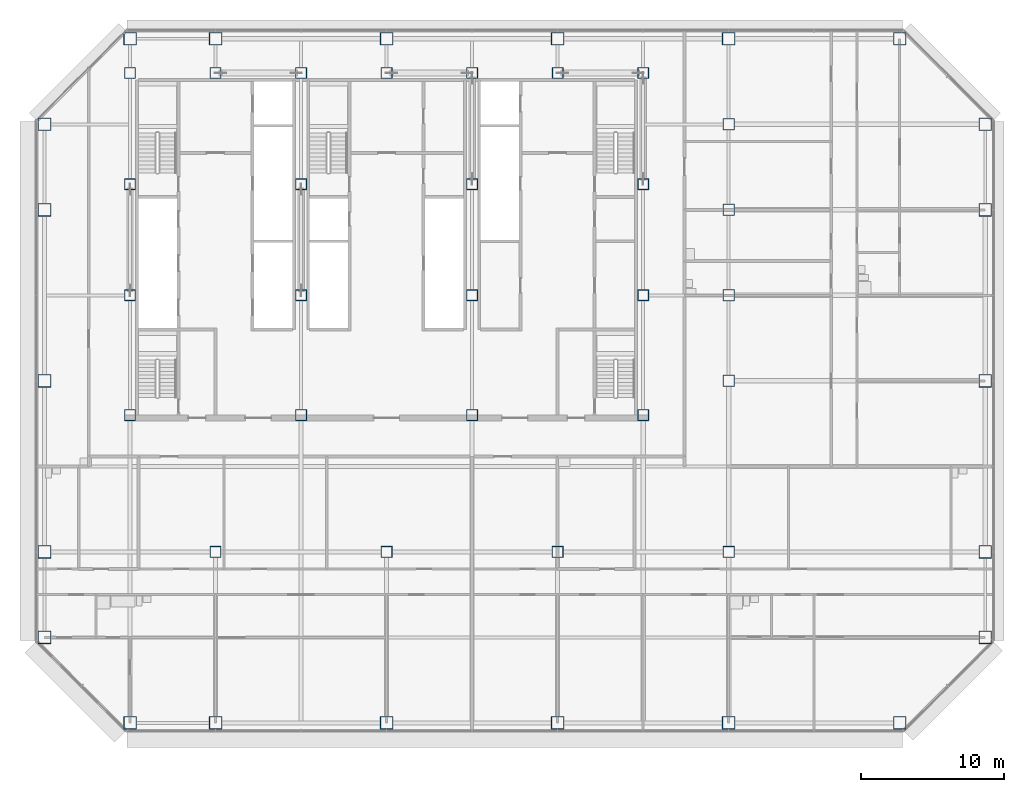
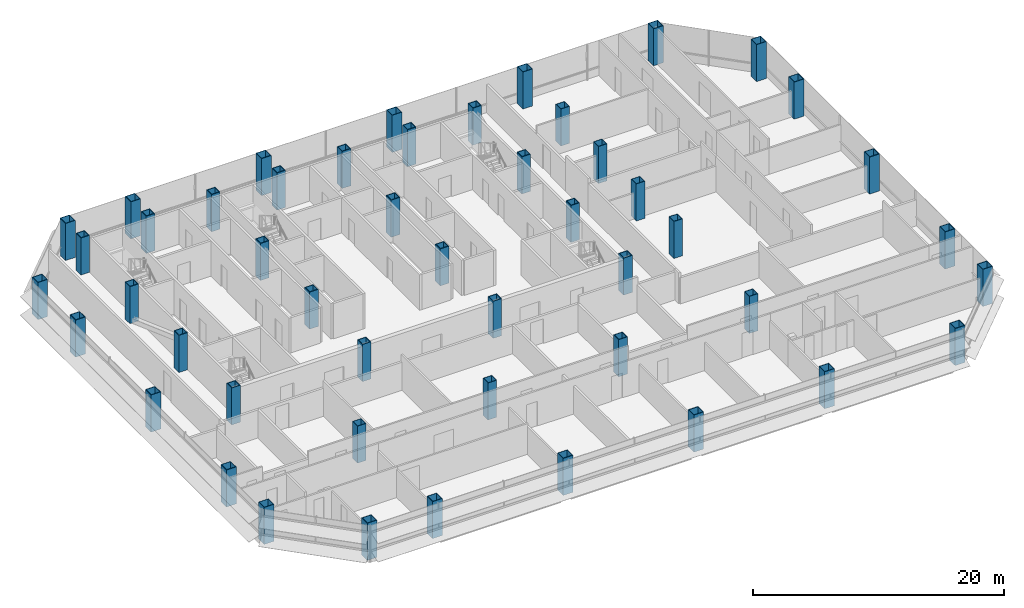
# One storey, part 1 of 27: 49 columns.
"""IFC4 building model written with IfcOpenShell, lengths in metres."""

from ifc_helpers import new_model, si_unit, direction, frame, origin, origin_2d, place, context, subcontext, project, spatial, hollow_rectangle, extrude, material, material_profile, profile_set, type_object, element, save


model = new_model("IFC4")

# Units and contexts
model_context = context("Model", 3, precision=1e-05, world=origin(), true_north=direction((0.0, 1.0)))
body_context = subcontext(model_context, "Body", "Model", "MODEL_VIEW")
ifc_project = project(units=[si_unit("LENGTHUNIT", "METRE"), si_unit("AREAUNIT", "SQUARE_METRE"), si_unit("VOLUMEUNIT", "CUBIC_METRE"), si_unit("PLANEANGLEUNIT", "RADIAN"), si_unit("MASSUNIT", "GRAM", prefix="KILO")], contexts=[model_context])

# Site, building, storey
site_placement = place(None, origin())
site = spatial("IfcSite", under=ifc_project, at=site_placement, CompositionType="ELEMENT")
building_placement = place(site_placement, origin())
building = spatial("IfcBuilding", under=site, at=building_placement, Name="Sorahane Residences", CompositionType="ELEMENT")
storey_placement = place(building_placement, frame((0.0, 0.0, 75.0)))
storey = spatial("IfcBuildingStorey", under=building, at=storey_placement, Name="L15", CompositionType="ELEMENT", Elevation=75.0)

# Columns
ifc_material_1 = material(Name="Steel Q355B", Category="steel")
ifc_material_profile_1 = material_profile(ifc_material_1, hollow_rectangle(XDim=0.800048828125, YDim=0.800048828125, WallThickness=0.0400390625, at=origin_2d()), Name="BOX 800x800x40")
ifc_profile_set_1 = profile_set([ifc_material_profile_1], Name="Steel Q355B")
column_type_1 = type_object("IfcColumnType", Name="Steel box column BOX 800x800x40 Q355B", PredefinedType="COLUMN", material=ifc_profile_set_1)
for number, where, z_axis, x_axis, name in (
    (1, (12.0, 12.0, 0.0), (0.0, 0.0, 1.0), (1.0, 0.0, 0.0), "Column L15 12/12"),
    (2, (24.0, 12.0, 0.0), (0.0, 0.0, 1.0), (1.0, 0.0, 0.0), "Column L15 24/12"),
    (3, (36.0, 12.0, 0.0), (0.0, 0.0, 1.0), (1.0, 0.0, 0.0), "Column L15 36/12"),
    (4, (48.0, 12.0, 0.0), (0.0, 0.0, 1.0), (1.0, 0.0, 0.0), "Column L15 48/12"),
    (5, (48.0, 24.0, 0.0), (0.0, 0.0, 1.0), (1.0, 0.0, 0.0), "Column L15 48/24"),
    (6, (48.0, 30.0, 0.0), (0.0, 0.0, 1.0), (1.0, 0.0, 0.0), "Column L15 48/30"),
    (7, (48.0, 36.0, 0.0), (0.0, 0.0, 1.0), (1.0, 0.0, 0.0), "Column L15 48/36"),
    (8, (48.0, 42.0, 0.0), (0.0, 0.0, 1.0), (1.0, 0.0, 0.0), "Column L15 48/42"),
):
    element("IfcColumn", number, at=place(storey_placement, frame(where, z_axis=z_axis, x_axis=x_axis)), inside=storey, type_object=column_type_1, Name=name, PredefinedType="COLUMN", context=body_context, shape_type="SweptSolid", body=[
        extrude(hollow_rectangle(XDim=0.800048828125, YDim=0.800048828125, WallThickness=0.0400390625, at=origin_2d()), origin(), (0.0, 0.0, 1.0), 3.60009765625),
    ])
ifc_material_2 = material(Name="Steel Q420GJ", Category="steel")
ifc_material_profile_2 = material_profile(ifc_material_2, hollow_rectangle(XDim=0.800048828125, YDim=0.800048828125, WallThickness=0.06005859375, at=origin_2d()), Name="BOX 800x800x60")
ifc_profile_set_2 = profile_set([ifc_material_profile_2], Name="Steel Q420GJ")
column_type_2 = type_object("IfcColumnType", Name="Steel box column BOX 800x800x60 Q420GJ", PredefinedType="COLUMN", material=ifc_profile_set_2)
for number, where, z_axis, x_axis, name in (
    (9, (6.0, 21.60009765625, 0.0), (0.0, 0.0, 1.0), (1.0, 0.0, 0.0), "Column L15 6/21.6"),
    (10, (6.0, 30.0, 0.0), (0.0, 0.0, 1.0), (1.0, 0.0, 0.0), "Column L15 6/30"),
    (11, (6.0, 37.800048828125, 0.0), (0.0, 0.0, 1.0), (1.0, 0.0, 0.0), "Column L15 6/37.8"),
    (12, (6.0, 45.60009765625, 0.0), (0.0, 0.0, 1.0), (1.0, 0.0, 0.0), "Column L15 6/45.6"),
    (13, (12.0, 45.60009765625, 0.0), (0.0, 0.0, 1.0), (1.0, 0.0, 0.0), "Column L15 12/45.6"),
    (14, (18.0, 21.60009765625, 0.0), (0.0, 0.0, 1.0), (1.0, 0.0, 0.0), "Column L15 18/21.6"),
    (15, (18.0, 30.0, 0.0), (0.0, 0.0, 1.0), (1.0, 0.0, 0.0), "Column L15 18/30"),
    (16, (18.0, 37.800048828125, 0.0), (0.0, 0.0, 1.0), (1.0, 0.0, 0.0), "Column L15 18/37.8"),
    (17, (18.0, 45.60009765625, 0.0), (0.0, 0.0, 1.0), (1.0, 0.0, 0.0), "Column L15 18/45.6"),
    (18, (24.0, 45.60009765625, 0.0), (0.0, 0.0, 1.0), (1.0, 0.0, 0.0), "Column L15 24/45.6"),
    (19, (30.0, 21.60009765625, 0.0), (0.0, 0.0, 1.0), (1.0, 0.0, 0.0), "Column L15 30/21.6"),
    (20, (30.0, 30.0, 0.0), (0.0, 0.0, 1.0), (1.0, 0.0, 0.0), "Column L15 30/30"),
    (21, (30.0, 37.800048828125, 0.0), (0.0, 0.0, 1.0), (1.0, 0.0, 0.0), "Column L15 30/37.8"),
    (22, (30.0, 45.60009765625, 0.0), (0.0, 0.0, 1.0), (1.0, 0.0, 0.0), "Column L15 30/45.6"),
    (23, (36.0, 45.60009765625, 0.0), (0.0, 0.0, 1.0), (1.0, 0.0, 0.0), "Column L15 36/45.6"),
    (24, (42.0, 21.60009765625, 0.0), (0.0, 0.0, 1.0), (1.0, 0.0, 0.0), "Column L15 42/21.6"),
    (25, (42.0, 30.0, 0.0), (0.0, 0.0, 1.0), (1.0, 0.0, 0.0), "Column L15 42/30"),
    (26, (42.0, 37.800048828125, 0.0), (0.0, 0.0, 1.0), (1.0, 0.0, 0.0), "Column L15 42/37.8"),
    (27, (42.0, 45.60009765625, 0.0), (0.0, 0.0, 1.0), (1.0, 0.0, 0.0), "Column L15 42/45.6"),
):
    element("IfcColumn", number, at=place(storey_placement, frame(where, z_axis=z_axis, x_axis=x_axis)), inside=storey, type_object=column_type_2, Name=name, PredefinedType="COLUMN", context=body_context, shape_type="SweptSolid", body=[
        extrude(hollow_rectangle(XDim=0.800048828125, YDim=0.800048828125, WallThickness=0.06005859375, at=origin_2d()), origin(), (0.0, 0.0, 1.0), 3.60009765625),
    ])
ifc_material_3 = material(Name="Steel Q420GJ", Category="steel")
ifc_material_profile_3 = material_profile(ifc_material_3, hollow_rectangle(XDim=0.89990234375, YDim=0.89990234375, WallThickness=0.044921875, at=origin_2d()), Name="BOX 900x900x45")
ifc_profile_set_3 = profile_set([ifc_material_profile_3], Name="Steel Q420GJ")
column_type_3 = type_object("IfcColumnType", Name="Steel box column BOX 900x900x45 Q420GJ", PredefinedType="COLUMN", material=ifc_profile_set_3)
for number, where, z_axis, x_axis, name in (
    (28, (0.0, 6.0, 0.0), (0.0, 0.0, 1.0), (1.0, 0.0, 0.0), "Column L15 m0/6"),
    (29, (0.0, 12.0, 0.0), (0.0, 0.0, 1.0), (1.0, 0.0, 0.0), "Column L15 m0/12"),
    (30, (0.0, 24.0, 0.0), (0.0, 0.0, 1.0), (1.0, 0.0, 0.0), "Column L15 m0/24"),
    (31, (0.0, 36.0, 0.0), (0.0, 0.0, 1.0), (1.0, 0.0, 0.0), "Column L15 m0/36"),
    (32, (0.0, 42.0, 0.0), (0.0, 0.0, 1.0), (1.0, 0.0, 0.0), "Column L15 m0/42"),
    (33, (6.0, 0.0, 0.0), (0.0, 0.0, 1.0), (1.0, 0.0, 0.0), "Column L15 6/0"),
    (34, (6.0, 48.0, 0.0), (0.0, 0.0, 1.0), (1.0, 0.0, 0.0), "Column L15 6/48"),
    (35, (12.0, 0.0, 0.0), (0.0, 0.0, 1.0), (1.0, 0.0, 0.0), "Column L15 12/0"),
    (36, (12.0, 48.0, 0.0), (0.0, 0.0, 1.0), (1.0, 0.0, 0.0), "Column L15 12/48"),
    (37, (24.0, 0.0, 0.0), (0.0, 0.0, 1.0), (1.0, 0.0, 0.0), "Column L15 24/0"),
    (38, (24.0, 48.0, 0.0), (0.0, 0.0, 1.0), (1.0, 0.0, 0.0), "Column L15 24/48"),
    (39, (36.0, 0.0, 0.0), (0.0, 0.0, 1.0), (1.0, 0.0, 0.0), "Column L15 36/0"),
    (40, (36.0, 48.0, 0.0), (0.0, 0.0, 1.0), (1.0, 0.0, 0.0), "Column L15 36/48"),
    (41, (48.0, 0.0, 0.0), (0.0, 0.0, 1.0), (1.0, 0.0, 0.0), "Column L15 48/0"),
    (42, (48.0, 48.0, 0.0), (0.0, 0.0, 1.0), (1.0, 0.0, 0.0), "Column L15 48/48"),
    (43, (60.0, 0.0, 0.0), (0.0, 0.0, 1.0), (1.0, 0.0, 0.0), "Column L15 60/0"),
    (44, (60.0, 48.0, 0.0), (0.0, 0.0, 1.0), (1.0, 0.0, 0.0), "Column L15 60/48"),
    (45, (66.0, 6.0, 0.0), (0.0, 0.0, 1.0), (1.0, 0.0, 0.0), "Column L15 66/6"),
    (46, (66.0, 12.0, 0.0), (0.0, 0.0, 1.0), (1.0, 0.0, 0.0), "Column L15 66/12"),
    (47, (66.0, 24.0, 0.0), (0.0, 0.0, 1.0), (1.0, 0.0, 0.0), "Column L15 66/24"),
    (48, (66.0, 36.0, 0.0), (0.0, 0.0, 1.0), (1.0, 0.0, 0.0), "Column L15 66/36"),
    (49, (66.0, 42.0, 0.0), (0.0, 0.0, 1.0), (1.0, 0.0, 0.0), "Column L15 66/42"),
):
    element("IfcColumn", number, at=place(storey_placement, frame(where, z_axis=z_axis, x_axis=x_axis)), inside=storey, type_object=column_type_3, Name=name, PredefinedType="COLUMN", context=body_context, shape_type="SweptSolid", body=[
        extrude(hollow_rectangle(XDim=0.89990234375, YDim=0.89990234375, WallThickness=0.044921875, at=origin_2d()), origin(), (0.0, 0.0, 1.0), 3.60009765625),
    ])

save(model, "model.ifc")
